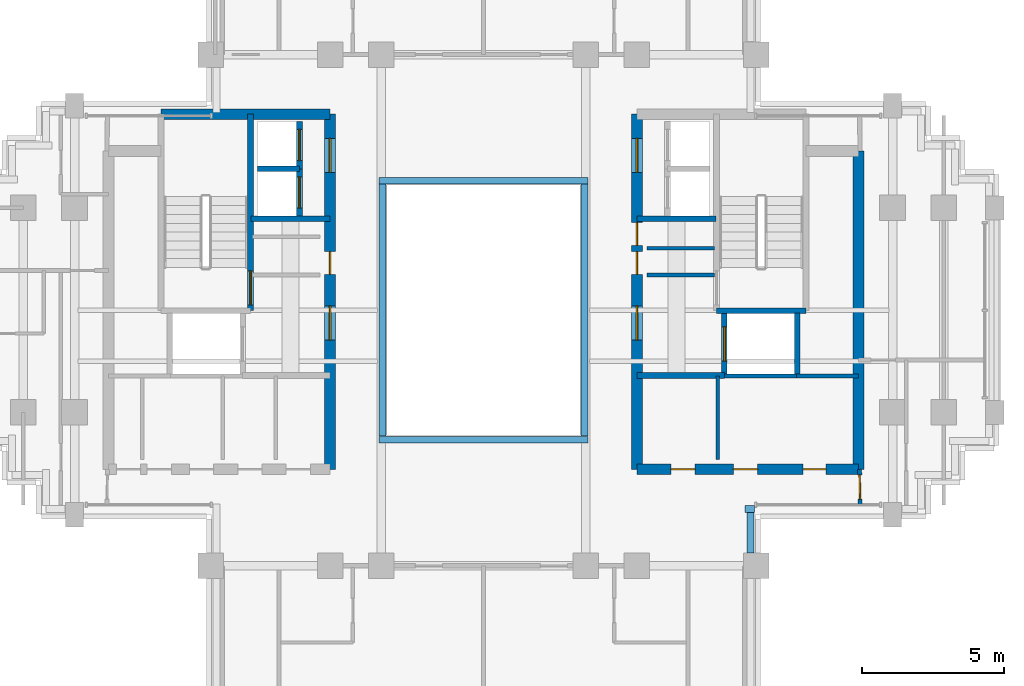
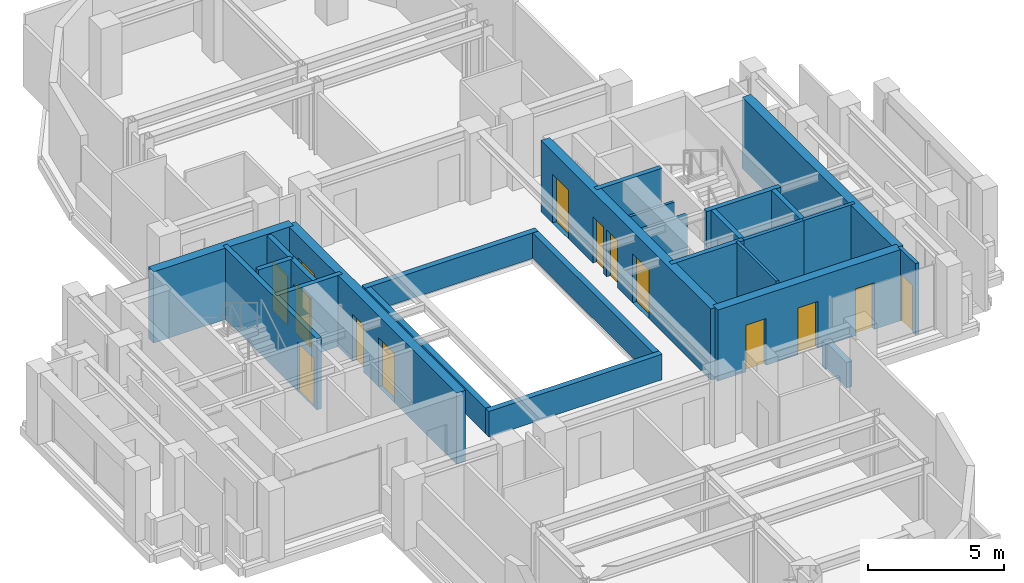
# One storey, part 7 of 12: 27 walls, 15 doors, 15 openings.
"""IFC4 building model written with IfcOpenShell, lengths in metres."""

from ifc_helpers import new_model, si_unit, direction, frame, frame_2d, origin, place, context, subcontext, project, spatial, rectangle, extrude, source, transform, mapped, material, layer, layer_set, type_object, element, fill, save


model = new_model("IFC4")

# Units and contexts
model_context = context("Model", 3, precision=1e-05, world=origin(), true_north=direction((0.0, 1.0)))
body_context = subcontext(model_context, "Body", "Model", "MODEL_VIEW")
ifc_project = project(units=[si_unit("LENGTHUNIT", "METRE"), si_unit("AREAUNIT", "SQUARE_METRE"), si_unit("VOLUMEUNIT", "CUBIC_METRE"), si_unit("PLANEANGLEUNIT", "RADIAN"), si_unit("MASSUNIT", "GRAM", prefix="KILO")], contexts=[model_context])

# Site, building, storey
site_placement = place(None, origin())
site = spatial("IfcSite", under=ifc_project, at=site_placement, CompositionType="ELEMENT")
building_placement = place(site_placement, origin())
building = spatial("IfcBuilding", under=site, at=building_placement, Name="Keilestroom Media Tower", CompositionType="ELEMENT")
storey_placement = place(building_placement, frame((0.0, 0.0, 187.60009765625)))
storey = spatial("IfcBuildingStorey", under=building, at=storey_placement, Name="L51", CompositionType="ELEMENT", Elevation=187.60009765625)

# Walls
ifc_material_1 = material(Name="Gypsum Plasterboard & Steel Stud", Category="steel")
ifc_layer_1 = layer(ifc_material_1, 0.1201171875)
ifc_layer_set_1 = layer_set([ifc_layer_1], Name="Gypsum Plasterboard & Steel Stud")
wall_type_1 = type_object("IfcWallType", Name="Interior-Partition-Wall-120", PredefinedType="PARTITIONING", material=ifc_layer_set_1)
wall_1_placement = place(storey_placement, frame((5.75, 2.179931640625, 0.0), z_axis=(0.0, 0.0, 1.0), x_axis=(1.0, 0.0, 0.0)))
element("IfcWall", 1, at=wall_1_placement, inside=storey, type_object=wall_type_1, Name="L51 Interior Wall WP-L51-CNE-N", PredefinedType="PARTITIONING", context=body_context, shape_type="SweptSolid", body=[
    extrude(rectangle(XDim=2.389892578125, YDim=0.1201171875, at=frame_2d((1.19482421875, 0.0))), origin(), (0.0, 0.0, 1.0), 2.2998046875),
])
wall_2_placement = place(storey_placement, frame((8.239990234375, -5.260009765625, 0.0), z_axis=(0.0, 0.0, 1.0), x_axis=(0.0, 1.0, 0.0)))
element("IfcWall", 2, at=wall_2_placement, inside=storey, type_object=wall_type_1, Name="L51 Interior Wall WP-L51-RECME-M", PredefinedType="PARTITIONING", context=body_context, shape_type="SweptSolid", body=[
    extrude(rectangle(XDim=2.93994140625, YDim=0.1201171875, at=frame_2d((1.469970703125, 0.0))), origin(), (0.0, 0.0, 1.0), 3.199951171875),
])
ifc_layer_2 = layer(ifc_material_1, 0.14990234375)
ifc_layer_set_2 = layer_set([ifc_layer_2], Name="Gypsum Plasterboard & Steel Stud")
wall_type_2 = type_object("IfcWallType", Name="Interior-Partition-Wall-150", PredefinedType="PARTITIONING", material=ifc_layer_set_2)
wall_3_placement = place(storey_placement, frame((5.75, 1.239990234375, 0.0), z_axis=(0.0, 0.0, 1.0), x_axis=(1.0, 0.0, 0.0)))
element("IfcWall", 3, at=wall_3_placement, inside=storey, type_object=wall_type_2, Name="L51 Interior Wall WP-L51-FFE-TOP", PredefinedType="PARTITIONING", context=body_context, shape_type="SweptSolid", body=[
    extrude(rectangle(XDim=2.389892578125, YDim=0.14990234375, at=frame_2d((1.19482421875, 0.0))), origin(), (0.0, 0.0, 1.0), 2.2998046875),
])
wall_4_placement = place(storey_placement, frame((11.02001953125, -2.320068359375, 0.0), z_axis=(0.0, 0.0, 1.0), x_axis=(1.0, 0.0, 0.0)))
element("IfcWall", 4, at=wall_4_placement, inside=storey, type_object=wall_type_2, Name="L51 Interior Wall WP-L51-RECLE-N", PredefinedType="PARTITIONING", context=body_context, shape_type="SweptSolid", body=[
    extrude(rectangle(XDim=2.179931640625, YDim=0.14990234375, at=frame_2d((1.08984375, 0.0))), origin(), (0.0, 0.0, 1.0), 3.199951171875),
])
wall_5_placement = place(storey_placement, frame((8.47998046875, -2.320068359375, 0.0), z_axis=(0.0, 0.0, 1.0), x_axis=(1.0, 0.0, 0.0)))
element("IfcWall", 5, at=wall_5_placement, inside=storey, type_object=wall_type_2, Name="L51 Interior Wall WP-L51-RECME-N", PredefinedType="PARTITIONING", context=body_context, shape_type="SweptSolid", body=[
    extrude(rectangle(XDim=2.56005859375, YDim=0.14990234375, at=frame_2d((1.280029296875, 0.0))), origin(), (0.0, 0.0, 1.0), 3.199951171875),
])

# Wall, opening, door
wall_6_placement = place(storey_placement, frame((13.260009765625, -6.85009765625, 0.0), z_axis=(0.0, 0.0, 1.0), x_axis=(-0.016013571389, 0.999871774545, 0.0)))
wall_6 = element("IfcWall", 6, at=wall_6_placement, inside=storey, type_object=wall_type_2, Name="L51 Interior Wall WP-L51-HEE-ENTS", PredefinedType="PARTITIONING", context=body_context, shape_type="SweptSolid", body=[
    extrude(rectangle(XDim=1.250244140625, YDim=0.14990234375, at=frame_2d((0.625, 0.0))), origin(), (0.0, 0.0, 1.0), 3.199951171875),
])
opening_1_placement = place(wall_6_placement, frame((0.199951171875, 0.0, 0.0)))
opening_1 = element("IfcOpeningElement", 7, at=opening_1_placement, cuts=wall_6, Name="Opening DI-05", PredefinedType="OPENING", context=body_context, shape_type="SweptSolid", body=[
    extrude(rectangle(XDim=0.85009765625, YDim=2.10009765625, at=frame_2d((0.425048828125, 1.050048828125))), frame((0.0, 0.0849609375, 0.0), z_axis=(0.0, -1.0, 0.0), x_axis=(1.0, 0.0, 0.0)), (0.0, 0.0, 1.0), 0.169921875),
])
ifc_material_2 = material(Name="Moisture-Resistant Oak Leaf", Category="wood")
door_type_1 = type_object("IfcDoorType", Name="Interior-En-Suite-And-Cupboard-Door-DI-05", OperationType="NOTDEFINED", PredefinedType="DOOR", material=ifc_material_2)
shared_shape_1 = source(origin(), body_context, "Body", "SweptSolid", [
    extrude(rectangle(XDim=0.85009765625, YDim=2.10009765625, at=frame_2d((0.425048828125, 1.050048828125))), frame((0.0, 0.02490234375, 0.0), z_axis=(0.0, -1.0, 0.0), x_axis=(1.0, 0.0, 0.0)), (0.0, 0.0, 1.0), 0.050048828125),
])
door_1_placement = place(opening_1_placement, origin())
door_1 = element("IfcDoor", 8, at=door_1_placement, inside=storey, type_object=door_type_1, Name="L51 Interior Door DI-L51-DHEE-ENTS", OperationType="SINGLE_SWING_RIGHT", OverallHeight=2.10009765625, OverallWidth=0.85009765625, PredefinedType="DOOR", context=body_context, shape_type="MappedRepresentation", body=[
    mapped(shared_shape_1, transform((0.0, 0.0, 0.0), x_axis=(1.0, 0.0, 0.0), y_axis=(0.0, 1.0, 0.0), z_axis=(0.0, 0.0, 1.0), scale=1.0)),
])
fill(opening_1, door_1)

# Wall, openings, doors
ifc_material_3 = material(Name="Concrete C55/67", Category="concrete")
ifc_layer_3 = layer(ifc_material_3, 0.3798828125)
ifc_layer_set_3 = layer_set([ifc_layer_3], Name="Concrete C55/67")
wall_type_3 = type_object("IfcWallType", Name="Reinforced-Concrete-Core-Shear-Wall-380", PredefinedType="SHEAR", material=ifc_layer_set_3)
wall_7_placement = place(storey_placement, frame((-5.39990234375, -5.60009765625, 0.0), z_axis=(0.0, 0.0, 1.0), x_axis=(0.0, 1.0, 0.0)))
wall_7 = element("IfcWall", 9, at=wall_7_placement, inside=storey, type_object=wall_type_3, Name="L51 Core Shear Wall WL-L51-CORE-W-IN", PredefinedType="SHEAR", context=body_context, shape_type="SweptSolid", body=[
    extrude(rectangle(XDim=12.5, YDim=0.3798828125, at=frame_2d((6.25, 0.0))), origin(), (0.0, 0.0, 1.0), 3.199951171875),
])
opening_2_placement = place(wall_7_placement, frame((4.550048828125, 0.0, 0.0)))
opening_2 = element("IfcOpeningElement", 10, at=opening_2_placement, cuts=wall_7, Name="Opening DI-02", PredefinedType="OPENING", context=body_context, shape_type="SweptSolid", body=[
    extrude(rectangle(XDim=1.199951171875, YDim=2.199951171875, at=frame_2d((0.60009765625, 1.10009765625))), frame((0.0, 0.199951171875, 0.0), z_axis=(0.0, -1.0, 0.0), x_axis=(1.0, 0.0, 0.0)), (0.0, 0.0, 1.0), 0.39990234375),
])
opening_3_placement = place(wall_7_placement, frame((10.449951171875, 0.0, 0.0)))
opening_3 = element("IfcOpeningElement", 11, at=opening_3_placement, cuts=wall_7, Name="Opening DI-02", PredefinedType="OPENING", context=body_context, shape_type="SweptSolid", body=[
    extrude(rectangle(XDim=1.199951171875, YDim=2.199951171875, at=frame_2d((0.60009765625, 1.10009765625))), frame((0.0, 0.199951171875, 0.0), z_axis=(0.0, -1.0, 0.0), x_axis=(1.0, 0.0, 0.0)), (0.0, 0.0, 1.0), 0.39990234375),
])
opening_4_placement = place(wall_7_placement, frame((6.860107421875, 0.0, 0.0)))
opening_4 = element("IfcOpeningElement", 12, at=opening_4_placement, cuts=wall_7, Name="Opening DI-06", PredefinedType="OPENING", context=body_context, shape_type="SweptSolid", body=[
    extrude(rectangle(XDim=0.800048828125, YDim=2.10009765625, at=frame_2d((0.39990234375, 1.050048828125))), frame((0.0, 0.199951171875, 0.0), z_axis=(0.0, -1.0, 0.0), x_axis=(1.0, 0.0, 0.0)), (0.0, 0.0, 1.0), 0.39990234375),
])
ifc_material_4 = material(Name="Powder-Coated Steel Fire Leaf", Category="steel")
door_type_2 = type_object("IfcDoorType", Name="Interior-Compartment-Fire-Door-DI-02", OperationType="NOTDEFINED", PredefinedType="DOOR", material=ifc_material_4)
shared_shape_2 = source(origin(), body_context, "Body", "SweptSolid", [
    extrude(rectangle(XDim=1.199951171875, YDim=2.199951171875, at=frame_2d((0.60009765625, 1.10009765625))), frame((0.0, 0.02490234375, 0.0), z_axis=(0.0, -1.0, 0.0), x_axis=(1.0, 0.0, 0.0)), (0.0, 0.0, 1.0), 0.050048828125),
])
door_2_placement = place(opening_2_placement, origin())
door_2 = element("IfcDoor", 13, at=door_2_placement, inside=storey, type_object=door_type_2, Name="L51 W Firefighting Lobby Door", OperationType="SINGLE_SWING_RIGHT", OverallHeight=2.199951171875, OverallWidth=1.199951171875, PredefinedType="DOOR", context=body_context, shape_type="MappedRepresentation", body=[
    mapped(shared_shape_2, transform((0.0, 0.0, 0.0), x_axis=(1.0, 0.0, 0.0), y_axis=(0.0, 1.0, 0.0), z_axis=(0.0, 0.0, 1.0), scale=1.0)),
])
fill(opening_2, door_2)
door_3_placement = place(opening_3_placement, origin())
door_3 = element("IfcDoor", 14, at=door_3_placement, inside=storey, type_object=door_type_2, Name="L51 W High-Rise Lift Lobby Door", OperationType="SINGLE_SWING_LEFT", OverallHeight=2.199951171875, OverallWidth=1.199951171875, PredefinedType="DOOR", context=body_context, shape_type="MappedRepresentation", body=[
    mapped(shared_shape_2, transform((0.0, 0.0, 0.0), x_axis=(1.0, 0.0, 0.0), y_axis=(0.0, 1.0, 0.0), z_axis=(0.0, 0.0, 1.0), scale=1.0)),
])
fill(opening_3, door_3)
ifc_material_5 = material(Name="Powder-Coated Steel Service Leaf", Category="steel")
door_type_3 = type_object("IfcDoorType", Name="Interior-Riser-Access-Door-DI-06", OperationType="NOTDEFINED", PredefinedType="DOOR", material=ifc_material_5)
shared_shape_3 = source(origin(), body_context, "Body", "SweptSolid", [
    extrude(rectangle(XDim=0.800048828125, YDim=2.10009765625, at=frame_2d((0.39990234375, 1.050048828125))), frame((0.0, 0.02490234375, 0.0), z_axis=(0.0, -1.0, 0.0), x_axis=(1.0, 0.0, 0.0)), (0.0, 0.0, 1.0), 0.050048828125),
])
door_4_placement = place(opening_4_placement, origin())
door_4 = element("IfcDoor", 15, at=door_4_placement, inside=storey, type_object=door_type_3, Name="L51 West Core Switchroom Door", OperationType="SINGLE_SWING_LEFT", OverallHeight=2.10009765625, OverallWidth=0.800048828125, PredefinedType="DOOR", context=body_context, shape_type="MappedRepresentation", body=[
    mapped(shared_shape_3, transform((0.0, 0.0, 0.0), x_axis=(1.0, 0.0, 0.0), y_axis=(0.0, 1.0, 0.0), z_axis=(0.0, 0.0, 1.0), scale=1.0)),
])
fill(opening_4, door_4)

# Walls
wall_8_placement = place(storey_placement, frame((-11.35595703125, 6.89990234375, 0.0), z_axis=(0.0, 0.0, 1.0), x_axis=(1.0, 0.0, 0.0)))
element("IfcWall", 16, at=wall_8_placement, inside=storey, type_object=wall_type_3, Name="L51 Core Shear Wall WL-L51-CORE-W-N", PredefinedType="SHEAR", context=body_context, shape_type="SweptSolid", body=[
    extrude(rectangle(XDim=5.9560546875, YDim=0.3798828125, at=frame_2d((2.97802734375, 0.0))), origin(), (0.0, 0.0, 1.0), 3.199951171875),
])
wall_9_placement = place(storey_placement, frame((13.199951171875, -5.60009765625, 0.0), z_axis=(0.0, 0.0, 1.0), x_axis=(0.0, 1.0, 0.0)))
element("IfcWall", 17, at=wall_9_placement, inside=storey, type_object=wall_type_3, Name="L51 Core Shear Wall WL-L51-CORE-E-OUT", PredefinedType="SHEAR", context=body_context, shape_type="SweptSolid", body=[
    extrude(rectangle(XDim=11.2001953125, YDim=0.3798828125, at=frame_2d((5.60009765625, 0.0))), origin(), (0.0, 0.0, 1.0), 3.199951171875),
])

# Wall, openings, doors
wall_10_placement = place(storey_placement, frame((5.39990234375, -5.60009765625, 0.0), z_axis=(0.0, 0.0, 1.0), x_axis=(0.0, 1.0, 0.0)))
wall_10 = element("IfcWall", 18, at=wall_10_placement, inside=storey, type_object=wall_type_3, Name="L51 Core Shear Wall WL-L51-CORE-E-IN", PredefinedType="SHEAR", context=body_context, shape_type="SweptSolid", body=[
    extrude(rectangle(XDim=12.5, YDim=0.3798828125, at=frame_2d((6.25, 0.0))), origin(), (0.0, 0.0, 1.0), 3.199951171875),
])
opening_5_placement = place(wall_10_placement, frame((4.550048828125, 0.0, 0.0)))
opening_5 = element("IfcOpeningElement", 19, at=opening_5_placement, cuts=wall_10, Name="Opening DI-02", PredefinedType="OPENING", context=body_context, shape_type="SweptSolid", body=[
    extrude(rectangle(XDim=1.199951171875, YDim=2.199951171875, at=frame_2d((0.60009765625, 1.10009765625))), frame((0.0, 0.199951171875, 0.0), z_axis=(0.0, -1.0, 0.0), x_axis=(1.0, 0.0, 0.0)), (0.0, 0.0, 1.0), 0.39990234375),
])
opening_6_placement = place(wall_10_placement, frame((10.449951171875, 0.0, 0.0)))
opening_6 = element("IfcOpeningElement", 20, at=opening_6_placement, cuts=wall_10, Name="Opening DI-02", PredefinedType="OPENING", context=body_context, shape_type="SweptSolid", body=[
    extrude(rectangle(XDim=1.199951171875, YDim=2.199951171875, at=frame_2d((0.60009765625, 1.10009765625))), frame((0.0, 0.199951171875, 0.0), z_axis=(0.0, -1.0, 0.0), x_axis=(1.0, 0.0, 0.0)), (0.0, 0.0, 1.0), 0.39990234375),
])
opening_7_placement = place(wall_10_placement, frame((6.860107421875, 0.0, 0.0)))
opening_7 = element("IfcOpeningElement", 21, at=opening_7_placement, cuts=wall_10, Name="Opening DI-06", PredefinedType="OPENING", context=body_context, shape_type="SweptSolid", body=[
    extrude(rectangle(XDim=0.800048828125, YDim=2.10009765625, at=frame_2d((0.39990234375, 1.050048828125))), frame((0.0, 0.199951171875, 0.0), z_axis=(0.0, -1.0, 0.0), x_axis=(1.0, 0.0, 0.0)), (0.0, 0.0, 1.0), 0.39990234375),
])
opening_8_placement = place(wall_10_placement, frame((7.8798828125, 0.0, 0.0)))
opening_8 = element("IfcOpeningElement", 22, at=opening_8_placement, cuts=wall_10, Name="Opening DI-06", PredefinedType="OPENING", context=body_context, shape_type="SweptSolid", body=[
    extrude(rectangle(XDim=0.800048828125, YDim=2.10009765625, at=frame_2d((0.39990234375, 1.050048828125))), frame((0.0, 0.199951171875, 0.0), z_axis=(0.0, -1.0, 0.0), x_axis=(1.0, 0.0, 0.0)), (0.0, 0.0, 1.0), 0.39990234375),
])
door_5_placement = place(opening_5_placement, origin())
door_5 = element("IfcDoor", 23, at=door_5_placement, inside=storey, type_object=door_type_2, Name="L51 E Firefighting Lobby Door", OperationType="SINGLE_SWING_LEFT", OverallHeight=2.199951171875, OverallWidth=1.199951171875, PredefinedType="DOOR", context=body_context, shape_type="MappedRepresentation", body=[
    mapped(shared_shape_2, transform((0.0, 0.0, 0.0), x_axis=(1.0, 0.0, 0.0), y_axis=(0.0, 1.0, 0.0), z_axis=(0.0, 0.0, 1.0), scale=1.0)),
])
fill(opening_5, door_5)
door_6_placement = place(opening_6_placement, origin())
door_6 = element("IfcDoor", 24, at=door_6_placement, inside=storey, type_object=door_type_2, Name="L51 E High-Rise Lift Lobby Door", OperationType="SINGLE_SWING_RIGHT", OverallHeight=2.199951171875, OverallWidth=1.199951171875, PredefinedType="DOOR", context=body_context, shape_type="MappedRepresentation", body=[
    mapped(shared_shape_2, transform((0.0, 0.0, 0.0), x_axis=(1.0, 0.0, 0.0), y_axis=(0.0, 1.0, 0.0), z_axis=(0.0, 0.0, 1.0), scale=1.0)),
])
fill(opening_6, door_6)
door_7_placement = place(opening_7_placement, origin())
door_7 = element("IfcDoor", 25, at=door_7_placement, inside=storey, type_object=door_type_3, Name="L51 East Core Telecom Door", OperationType="SINGLE_SWING_RIGHT", OverallHeight=2.10009765625, OverallWidth=0.800048828125, PredefinedType="DOOR", context=body_context, shape_type="MappedRepresentation", body=[
    mapped(shared_shape_3, transform((0.0, 0.0, 0.0), x_axis=(1.0, 0.0, 0.0), y_axis=(0.0, 1.0, 0.0), z_axis=(0.0, 0.0, 1.0), scale=1.0)),
])
fill(opening_7, door_7)
door_8_placement = place(opening_8_placement, origin())
door_8 = element("IfcDoor", 26, at=door_8_placement, inside=storey, type_object=door_type_3, Name="L51 East Core Closet Door", OperationType="SINGLE_SWING_RIGHT", OverallHeight=2.10009765625, OverallWidth=0.800048828125, PredefinedType="DOOR", context=body_context, shape_type="MappedRepresentation", body=[
    mapped(shared_shape_3, transform((0.0, 0.0, 0.0), x_axis=(1.0, 0.0, 0.0), y_axis=(0.0, 1.0, 0.0), z_axis=(0.0, 0.0, 1.0), scale=1.0)),
])
fill(opening_8, door_8)

wall_11_placement = place(storey_placement, frame((5.39990234375, -5.60009765625, 0.0), z_axis=(0.0, 0.0, 1.0), x_axis=(1.0, 0.0, 0.0)))
wall_11 = element("IfcWall", 27, at=wall_11_placement, inside=storey, type_object=wall_type_3, Name="L51 Core Shear Wall WL-L51-CORE-E-S", PredefinedType="SHEAR", context=body_context, shape_type="SweptSolid", body=[
    extrude(rectangle(XDim=7.800048828125, YDim=0.3798828125, at=frame_2d((3.89990234375, 0.0))), origin(), (0.0, 0.0, 1.0), 3.199951171875),
])
opening_9_placement = place(wall_11_placement, frame((5.85009765625, 0.0, 0.0)))
opening_9 = element("IfcOpeningElement", 28, at=opening_9_placement, cuts=wall_11, Name="Opening DI-06", PredefinedType="OPENING", context=body_context, shape_type="SweptSolid", body=[
    extrude(rectangle(XDim=0.800048828125, YDim=2.10009765625, at=frame_2d((0.39990234375, 1.050048828125))), frame((0.0, 0.199951171875, 0.0), z_axis=(0.0, -1.0, 0.0), x_axis=(1.0, 0.0, 0.0)), (0.0, 0.0, 1.0), 0.39990234375),
])
opening_10_placement = place(wall_11_placement, frame((1.199951171875, 0.0, 0.0)))
opening_10 = element("IfcOpeningElement", 29, at=opening_10_placement, cuts=wall_11, Name="Opening DI-05", PredefinedType="OPENING", context=body_context, shape_type="SweptSolid", body=[
    extrude(rectangle(XDim=0.85009765625, YDim=2.10009765625, at=frame_2d((0.425048828125, 1.050048828125))), frame((0.0, 0.199951171875, 0.0), z_axis=(0.0, -1.0, 0.0), x_axis=(1.0, 0.0, 0.0)), (0.0, 0.0, 1.0), 0.39990234375),
])
opening_11_placement = place(wall_11_placement, frame((3.39990234375, 0.0, 0.0)))
opening_11 = element("IfcOpeningElement", 30, at=opening_11_placement, cuts=wall_11, Name="Opening DI-05", PredefinedType="OPENING", context=body_context, shape_type="SweptSolid", body=[
    extrude(rectangle(XDim=0.85009765625, YDim=2.10009765625, at=frame_2d((0.425048828125, 1.050048828125))), frame((0.0, 0.199951171875, 0.0), z_axis=(0.0, -1.0, 0.0), x_axis=(1.0, 0.0, 0.0)), (0.0, 0.0, 1.0), 0.39990234375),
])
door_9_placement = place(opening_9_placement, origin())
door_9 = element("IfcDoor", 31, at=door_9_placement, inside=storey, type_object=door_type_3, Name="L51 Reclaimed East Core Room Door", OperationType="SINGLE_SWING_RIGHT", OverallHeight=2.10009765625, OverallWidth=0.800048828125, PredefinedType="DOOR", context=body_context, shape_type="MappedRepresentation", body=[
    mapped(shared_shape_3, transform((0.0, 0.0, 0.0), x_axis=(1.0, 0.0, 0.0), y_axis=(0.0, 1.0, 0.0), z_axis=(0.0, 0.0, 1.0), scale=1.0)),
])
fill(opening_9, door_9)
door_10_placement = place(opening_10_placement, origin())
door_10 = element("IfcDoor", 32, at=door_10_placement, inside=storey, type_object=door_type_1, Name="L51 Reclaimed Mid East Room 1 Door", OperationType="SINGLE_SWING_RIGHT", OverallHeight=2.10009765625, OverallWidth=0.85009765625, PredefinedType="DOOR", context=body_context, shape_type="MappedRepresentation", body=[
    mapped(shared_shape_1, transform((0.0, 0.0, 0.0), x_axis=(1.0, 0.0, 0.0), y_axis=(0.0, 1.0, 0.0), z_axis=(0.0, 0.0, 1.0), scale=1.0)),
])
fill(opening_10, door_10)
door_11_placement = place(opening_11_placement, origin())
door_11 = element("IfcDoor", 33, at=door_11_placement, inside=storey, type_object=door_type_1, Name="L51 Reclaimed Mid East Room 2 Door", OperationType="SINGLE_SWING_RIGHT", OverallHeight=2.10009765625, OverallWidth=0.85009765625, PredefinedType="DOOR", context=body_context, shape_type="MappedRepresentation", body=[
    mapped(shared_shape_1, transform((0.0, 0.0, 0.0), x_axis=(1.0, 0.0, 0.0), y_axis=(0.0, 1.0, 0.0), z_axis=(0.0, 0.0, 1.0), scale=1.0)),
])
fill(opening_11, door_11)

# Wall
ifc_material_6 = material(Name="Concrete C50/60", Category="concrete")
ifc_layer_4 = layer(ifc_material_6, 0.199951171875)
ifc_layer_set_4 = layer_set([ifc_layer_4], Name="Concrete C50/60")
wall_type_4 = type_object("IfcWallType", Name="Reinforced-Concrete-Shaft-Wall-200", PredefinedType="SOLIDWALL", material=ifc_layer_set_4)
wall_12_placement = place(storey_placement, frame((-8.179931640625, 3.219970703125, 0.0), z_axis=(0.0, 0.0, 1.0), x_axis=(1.0, 0.0, 0.0)))
element("IfcWall", 34, at=wall_12_placement, inside=storey, type_object=wall_type_4, Name="L51 Core Shear Wall WL-L51-CORE-W-FFN", PredefinedType="SOLIDWALL", context=body_context, shape_type="SweptSolid", body=[
    extrude(rectangle(XDim=2.780029296875, YDim=0.199951171875, at=frame_2d((1.39013671875, 0.0))), origin(), (0.0, 0.0, 1.0), 3.199951171875),
])

# Wall, opening, door
wall_13_placement = place(storey_placement, frame((-8.2041015625, -0.01611328125, 0.0), z_axis=(0.0, 0.0, 1.0), x_axis=(0.0, 1.0, 0.0)))
wall_13 = element("IfcWall", 35, at=wall_13_placement, inside=storey, type_object=wall_type_4, Name="L51 Core Shear Wall WL-L51-STW-W-NEAR", PredefinedType="SOLIDWALL", context=body_context, shape_type="SweptSolid", body=[
    extrude(rectangle(XDim=6.916015625, YDim=0.199951171875, at=frame_2d((3.4580078125, 0.0))), origin(), (0.0, 0.0, 1.0), 3.199951171875),
])
opening_12_placement = place(wall_13_placement, frame((0.199951171875, 0.0, 0.0)))
opening_12 = element("IfcOpeningElement", 36, at=opening_12_placement, cuts=wall_13, Name="Opening DI-01S", PredefinedType="OPENING", context=body_context, shape_type="SweptSolid", body=[
    extrude(rectangle(XDim=1.199951171875, YDim=2.199951171875, at=frame_2d((0.60009765625, 1.10009765625))), frame((0.0, 0.10986328125, 0.0), z_axis=(0.0, -1.0, 0.0), x_axis=(1.0, 0.0, 0.0)), (0.0, 0.0, 1.0), 0.219970703125),
])
door_type_4 = type_object("IfcDoorType", Name="Interior-Stair-And-Core-Fire-Door-DI-01", OperationType="NOTDEFINED", PredefinedType="DOOR", material=ifc_material_4)
door_12_placement = place(opening_12_placement, origin())
door_12 = element("IfcDoor", 37, at=door_12_placement, inside=storey, type_object=door_type_4, Name="L51 Escape Stair ST-1 Fire Door", OperationType="SINGLE_SWING_LEFT", OverallHeight=2.199951171875, OverallWidth=1.199951171875, PredefinedType="DOOR", context=body_context, shape_type="MappedRepresentation", body=[
    mapped(shared_shape_2, transform((0.0, 0.0, 0.0), x_axis=(1.0, 0.0, 0.0), y_axis=(0.0, 1.0, 0.0), z_axis=(0.0, 0.0, 1.0), scale=1.0)),
])
fill(opening_12, door_12)

# Walls
wall_14_placement = place(storey_placement, frame((5.39990234375, 3.219970703125, 0.0), z_axis=(0.0, 0.0, 1.0), x_axis=(1.0, 0.0, 0.0)))
element("IfcWall", 38, at=wall_14_placement, inside=storey, type_object=wall_type_4, Name="L51 Core Shear Wall WL-L51-CORE-E-FFN", PredefinedType="SOLIDWALL", context=body_context, shape_type="SweptSolid", body=[
    extrude(rectangle(XDim=2.780029296875, YDim=0.199951171875, at=frame_2d((1.39013671875, 0.0))), origin(), (0.0, 0.0, 1.0), 3.199951171875),
])
wall_15_placement = place(storey_placement, frame((5.39990234375, -2.300048828125, 0.0), z_axis=(0.0, 0.0, 1.0), x_axis=(1.0, 0.0, 0.0)))
element("IfcWall", 39, at=wall_15_placement, inside=storey, type_object=wall_type_4, Name="L51 Core Shear Wall WL-L51-CORE-E-FFS", PredefinedType="SOLIDWALL", context=body_context, shape_type="SweptSolid", body=[
    extrude(rectangle(XDim=3.080078125, YDim=0.199951171875, at=frame_2d((1.5400390625, 0.0))), origin(), (0.0, 0.0, 1.0), 3.199951171875),
])
wall_16_placement = place(storey_placement, frame((8.2041015625, -0.01611328125, 0.0), z_axis=(0.0, 0.0, 1.0), x_axis=(1.0, 0.0, 0.0)))
element("IfcWall", 40, at=wall_16_placement, inside=storey, type_object=wall_type_4, Name="L51 Core Shear Wall WL-L51-STW-E-S", PredefinedType="SOLIDWALL", context=body_context, shape_type="SweptSolid", body=[
    extrude(rectangle(XDim=3.15185546875, YDim=0.199951171875, at=frame_2d((1.575927734375, 0.0))), origin(), (0.0, 0.0, 1.0), 3.199951171875),
])

# Wall, opening, door
wall_17_placement = place(storey_placement, frame((8.47998046875, -2.280029296875, 0.0), z_axis=(0.0, 0.0, 1.0), x_axis=(0.0, 1.0, 0.0)))
wall_17 = element("IfcWall", 41, at=wall_17_placement, inside=storey, type_object=wall_type_4, Name="L51 Core Shear Wall WL-L51-LSH-FFL-2-W", PredefinedType="SOLIDWALL", context=body_context, shape_type="SweptSolid", body=[
    extrude(rectangle(XDim=2.179931640625, YDim=0.199951171875, at=frame_2d((1.08984375, 0.0))), origin(), (0.0, 0.0, 1.0), 3.199951171875),
])
opening_13_placement = place(wall_17_placement, frame((0.489990234375, 0.0, 0.0)))
opening_13 = element("IfcOpeningElement", 42, at=opening_13_placement, cuts=wall_17, Name="Opening LD-02", PredefinedType="OPENING", context=body_context, shape_type="SweptSolid", body=[
    extrude(rectangle(XDim=1.199951171875, YDim=2.199951171875, at=frame_2d((0.60009765625, 1.10009765625))), frame((0.0, 0.10986328125, 0.0), z_axis=(0.0, -1.0, 0.0), x_axis=(1.0, 0.0, 0.0)), (0.0, 0.0, 1.0), 0.219970703125),
])
ifc_material_7 = material(Name="Brushed Stainless Steel Sliding Leaf", Category="steel")
door_type_5 = type_object("IfcDoorType", Name="Lift-Landing-Sliding-Door-LD-02", OperationType="SLIDING_TO_RIGHT", PredefinedType="DOOR", material=ifc_material_7)
door_13_placement = place(opening_13_placement, origin())
door_13 = element("IfcDoor", 43, at=door_13_placement, inside=storey, type_object=door_type_5, Name="L51 Lift FFL-2 Landing Sliding Door", OperationType="SLIDING_TO_RIGHT", OverallHeight=2.199951171875, OverallWidth=1.199951171875, PredefinedType="DOOR", context=body_context, shape_type="MappedRepresentation", body=[
    mapped(shared_shape_2, transform((0.0, 0.0, 0.0), x_axis=(1.0, 0.0, 0.0), y_axis=(0.0, 1.0, 0.0), z_axis=(0.0, 0.0, 1.0), scale=1.0)),
])
fill(opening_13, door_13)

# Wall
wall_18_placement = place(storey_placement, frame((11.050048828125, -2.280029296875, 0.0), z_axis=(0.0, 0.0, 1.0), x_axis=(0.0, 1.0, 0.0)))
element("IfcWall", 44, at=wall_18_placement, inside=storey, type_object=wall_type_4, Name="L51 Core Shear Wall WL-L51-LSH-FFL-2-E", PredefinedType="SOLIDWALL", context=body_context, shape_type="SweptSolid", body=[
    extrude(rectangle(XDim=2.179931640625, YDim=0.199951171875, at=frame_2d((1.08984375, 0.0))), origin(), (0.0, 0.0, 1.0), 3.199951171875),
])

# Wall, opening, door
wall_19_placement = place(storey_placement, frame((-6.47998046875, 3.300048828125, 0.0), z_axis=(0.0, 0.0, 1.0), x_axis=(0.0, 1.0, 0.0)))
wall_19 = element("IfcWall", 45, at=wall_19_placement, inside=storey, type_object=wall_type_4, Name="L51 Core Shear Wall WL-L51-LSH-PL-H1-E", PredefinedType="SOLIDWALL", context=body_context, shape_type="SweptSolid", body=[
    extrude(rectangle(XDim=1.679931640625, YDim=0.199951171875, at=frame_2d((0.83984375, 0.0))), origin(), (0.0, 0.0, 1.0), 3.199951171875),
])
opening_14_placement = place(wall_19_placement, frame((0.2900390625, 0.0, 0.0)))
opening_14 = element("IfcOpeningElement", 46, at=opening_14_placement, cuts=wall_19, Name="Opening LD-01", PredefinedType="OPENING", context=body_context, shape_type="SweptSolid", body=[
    extrude(rectangle(XDim=1.10009765625, YDim=2.199951171875, at=frame_2d((0.550048828125, 1.10009765625))), frame((0.0, 0.10986328125, 0.0), z_axis=(0.0, -1.0, 0.0), x_axis=(1.0, 0.0, 0.0)), (0.0, 0.0, 1.0), 0.219970703125),
])
door_type_6 = type_object("IfcDoorType", Name="Lift-Landing-Sliding-Door-LD-01", OperationType="SLIDING_TO_LEFT", PredefinedType="DOOR", material=ifc_material_7)
shared_shape_4 = source(origin(), body_context, "Body", "SweptSolid", [
    extrude(rectangle(XDim=1.10009765625, YDim=2.199951171875, at=frame_2d((0.550048828125, 1.10009765625))), frame((0.0, 0.02490234375, 0.0), z_axis=(0.0, -1.0, 0.0), x_axis=(1.0, 0.0, 0.0)), (0.0, 0.0, 1.0), 0.050048828125),
])
door_14_placement = place(opening_14_placement, origin())
door_14 = element("IfcDoor", 47, at=door_14_placement, inside=storey, type_object=door_type_6, Name="L51 Lift PL-H1 Landing Sliding Door", OperationType="SLIDING_TO_LEFT", OverallHeight=2.199951171875, OverallWidth=1.10009765625, PredefinedType="DOOR", context=body_context, shape_type="MappedRepresentation", body=[
    mapped(shared_shape_4, transform((0.0, 0.0, 0.0), x_axis=(1.0, 0.0, 0.0), y_axis=(0.0, 1.0, 0.0), z_axis=(0.0, 0.0, 1.0), scale=1.0)),
])
fill(opening_14, door_14)

# Wall
wall_20_placement = place(storey_placement, frame((-7.949951171875, 4.97998046875, 0.0), z_axis=(0.0, 0.0, 1.0), x_axis=(1.0, 0.0, 0.0)))
element("IfcWall", 48, at=wall_20_placement, inside=storey, type_object=wall_type_4, Name="L51 Core Shear Wall WL-L51-LSH-PL-H1-N", PredefinedType="SOLIDWALL", context=body_context, shape_type="SweptSolid", body=[
    extrude(rectangle(XDim=1.469970703125, YDim=0.199951171875, at=frame_2d((0.73486328125, 0.0))), origin(), (0.0, 0.0, 1.0), 3.199951171875),
])

# Wall, opening, door
wall_21_placement = place(storey_placement, frame((-6.47998046875, 4.97998046875, 0.0), z_axis=(0.0, 0.0, 1.0), x_axis=(0.0, 1.0, 0.0)))
wall_21 = element("IfcWall", 49, at=wall_21_placement, inside=storey, type_object=wall_type_4, Name="L51 Core Shear Wall WL-L51-LSH-PL-H2-E", PredefinedType="SOLIDWALL", context=body_context, shape_type="SweptSolid", body=[
    extrude(rectangle(XDim=1.669921875, YDim=0.199951171875, at=frame_2d((0.8349609375, 0.0))), origin(), (0.0, 0.0, 1.0), 3.199951171875),
])
opening_15_placement = place(wall_21_placement, frame((0.284912109375, 0.0, 0.0)))
opening_15 = element("IfcOpeningElement", 50, at=opening_15_placement, cuts=wall_21, Name="Opening LD-01", PredefinedType="OPENING", context=body_context, shape_type="SweptSolid", body=[
    extrude(rectangle(XDim=1.10009765625, YDim=2.199951171875, at=frame_2d((0.550048828125, 1.10009765625))), frame((0.0, 0.10986328125, 0.0), z_axis=(0.0, -1.0, 0.0), x_axis=(1.0, 0.0, 0.0)), (0.0, 0.0, 1.0), 0.219970703125),
])
door_15_placement = place(opening_15_placement, origin())
door_15 = element("IfcDoor", 51, at=door_15_placement, inside=storey, type_object=door_type_6, Name="L51 Lift PL-H2 Landing Sliding Door", OperationType="SLIDING_TO_LEFT", OverallHeight=2.199951171875, OverallWidth=1.10009765625, PredefinedType="DOOR", context=body_context, shape_type="MappedRepresentation", body=[
    mapped(shared_shape_4, transform((0.0, 0.0, 0.0), x_axis=(1.0, 0.0, 0.0), y_axis=(0.0, 1.0, 0.0), z_axis=(0.0, 0.0, 1.0), scale=1.0)),
])
fill(opening_15, door_15)

# Walls
ifc_material_8 = material(Name="Precast concrete C40/50", Category="concrete")
ifc_layer_5 = layer(ifc_material_8, 0.239990234375)
ifc_layer_set_5 = layer_set([ifc_layer_5], Name="Precast concrete C40/50")
wall_type_5 = type_object("IfcWallType", Name="Roof-And-Terrace-Parapet-Wall-240", PredefinedType="PARAPET", material=ifc_layer_set_5)
wall_22_placement = place(storey_placement, frame((9.547119140625, -7.0, 0.0), z_axis=(0.0, 0.0, 1.0), x_axis=(-1.0, 0.0, 0.0)))
element("IfcWall", 52, at=wall_22_placement, inside=storey, type_object=wall_type_5, Name="L51 Perimeter Edge Parapet Wall 07", PredefinedType="PARAPET", context=body_context, shape_type="SweptSolid", body=[
    extrude(rectangle(XDim=0.34716796875, YDim=0.239990234375, at=frame_2d((0.173583984375, 0.0))), origin(), (0.0, 0.0, 1.0), 1.14990234375),
])
wall_23_placement = place(storey_placement, frame((9.39990234375, -7.123046875, 0.0), z_axis=(0.0, 0.0, 1.0), x_axis=(0.0, -1.0, 0.0)))
element("IfcWall", 53, at=wall_23_placement, inside=storey, type_object=wall_type_5, Name="L51 Perimeter Edge Parapet Wall 08", PredefinedType="PARAPET", context=body_context, shape_type="SweptSolid", body=[
    extrude(rectangle(XDim=1.424072265625, YDim=0.239990234375, at=frame_2d((0.7119140625, 0.0))), origin(), (0.0, 0.0, 1.0), 1.14990234375),
])
for number, where, z_axis, x_axis, name in (
    (54, (-3.679931640625, -4.56005859375, 0.0), (0.0, 0.0, 1.0), (1.0, 0.0, 0.0), "L51 Central Atrium Guard Parapet S"),
    (55, (-3.679931640625, 4.56005859375, 0.0), (0.0, 0.0, 1.0), (1.0, 0.0, 0.0), "L51 Central Atrium Guard Parapet N"),
):
    element("IfcWall", number, at=place(storey_placement, frame(where, z_axis=z_axis, x_axis=x_axis)), inside=storey, type_object=wall_type_5, Name=name, PredefinedType="PARAPET", context=body_context, shape_type="SweptSolid", body=[
        extrude(rectangle(XDim=7.35986328125, YDim=0.239990234375, at=frame_2d((3.679931640625, 0.0))), origin(), (0.0, 0.0, 1.0), 1.14990234375),
    ])
for number, where, z_axis, x_axis, name in (
    (56, (-3.56005859375, -4.43505859375, 0.0), (0.0, 0.0, 1.0), (0.0, 1.0, 0.0), "L51 Central Atrium Guard Parapet W"),
    (57, (3.56005859375, -4.43505859375, 0.0), (0.0, 0.0, 1.0), (0.0, 1.0, 0.0), "L51 Central Atrium Guard Parapet E"),
):
    element("IfcWall", number, at=place(storey_placement, frame(where, z_axis=z_axis, x_axis=x_axis)), inside=storey, type_object=wall_type_5, Name=name, PredefinedType="PARAPET", context=body_context, shape_type="SweptSolid", body=[
        extrude(rectangle(XDim=8.8701171875, YDim=0.239990234375, at=frame_2d((4.43505859375, 0.0))), origin(), (0.0, 0.0, 1.0), 1.14990234375),
    ])

save(model, "model.ifc")
